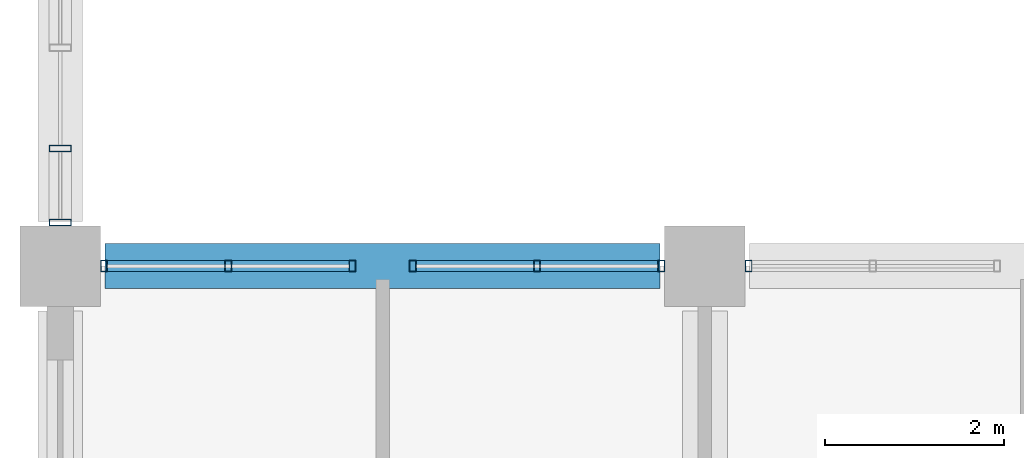
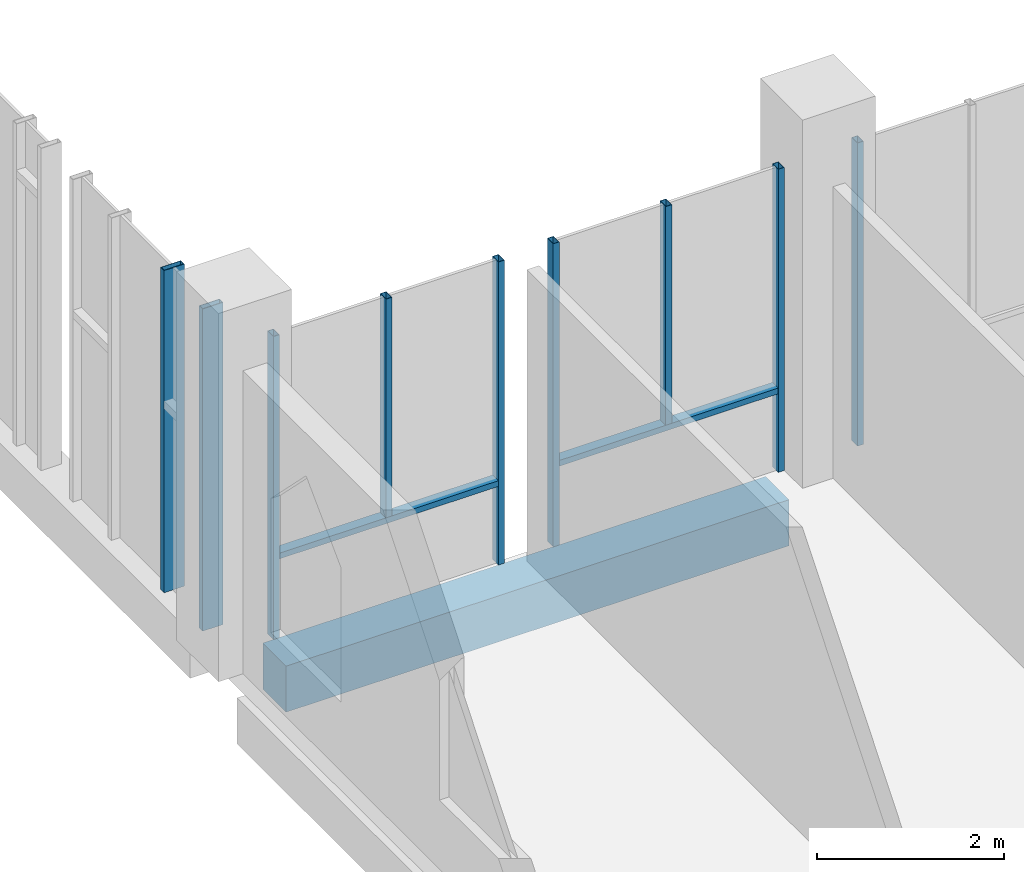
# One storey, part 2 of 40: 11 members, 1 beam, 4 elements without a shape of their own.
"""IFC4 building model written with IfcOpenShell, lengths in metres."""

from ifc_helpers import new_model, si_unit, direction, frame, origin, origin_2d, place, context, subcontext, project, spatial, rectangle, hollow_rectangle, extrude, material, material_profile, profile_set, type_object, element, aggregate, save


model = new_model("IFC4")

# Units and contexts
model_context = context("Model", 3, precision=1e-05, world=origin(), true_north=direction((0.0, 1.0)))
body_context = subcontext(model_context, "Body", "Model", "MODEL_VIEW")
ifc_project = project(units=[si_unit("LENGTHUNIT", "METRE"), si_unit("AREAUNIT", "SQUARE_METRE"), si_unit("VOLUMEUNIT", "CUBIC_METRE"), si_unit("PLANEANGLEUNIT", "RADIAN"), si_unit("MASSUNIT", "GRAM", prefix="KILO")], contexts=[model_context])

# Site, building, storey
site_placement = place(None, origin())
site = spatial("IfcSite", under=ifc_project, at=site_placement, CompositionType="ELEMENT")
building_placement = place(site_placement, origin())
building = spatial("IfcBuilding", under=site, at=building_placement, Name="Silangan Lancet Faculty of Sciences", CompositionType="ELEMENT")
storey_placement = place(building_placement, frame((0.0, 0.0, 16.800048828125)))
storey = spatial("IfcBuildingStorey", under=building, at=storey_placement, Name="L03", CompositionType="ELEMENT", Elevation=16.800048828125)

# Beam
ifc_material_1 = material(Name="Concrete C40/50", Category="concrete")
ifc_material_profile_1 = material_profile(ifc_material_1, rectangle(XDim=0.5, YDim=0.60009765625, at=origin_2d()), Name="RC 500x600")
ifc_profile_set_1 = profile_set([ifc_material_profile_1], Name="Concrete C40/50")
beam_type = type_object("IfcBeamType", Name="BEAM RC 500x600", PredefinedType="BEAM", material=ifc_profile_set_1)
beam_placement = place(storey_placement, frame((0.5, 21.60009765625, -0.550048828125), z_axis=(1.0, 0.0, 0.0), x_axis=(0.0, 1.0, 0.0)))
element("IfcBeam", 1, at=beam_placement, inside=storey, type_object=beam_type, Name="BM-L03-1D-2D", PredefinedType="BEAM", context=body_context, shape_type="SweptSolid", body=[
    extrude(rectangle(XDim=0.5, YDim=0.60009765625, at=origin_2d()), origin(), (0.0, 0.0, 1.0), 6.199951171875),
])

# Curtain wall, member
ifc_material_2 = material(Name="Aluminium framed curtain wall with insulated glass", Category="aluminium")
curtain_wall_type_1 = type_object("IfcCurtainWallType", Name="CW2 Atrium fire-resisting screen", PredefinedType="NOTDEFINED", material=ifc_material_2)
curtain_wall_1_placement = place(storey_placement, origin())
curtain_wall_1 = element("IfcCurtainWall", 2, at=curtain_wall_1_placement, inside=storey, type_object=curtain_wall_type_1, Name="CW2 Atrium south L03 bay 4", PredefinedType="NOTDEFINED")
ifc_material_3 = material(Name="Steel S355J2H", Category="steel")
ifc_material_profile_2 = material_profile(ifc_material_3, hollow_rectangle(XDim=0.074951171875, YDim=0.125, WallThickness=0.0048828125, at=origin_2d()), Name="ST BOX 75x125x5")
ifc_profile_set_2 = profile_set([ifc_material_profile_2], Name="Steel S355J2H")
member_type_1 = type_object("IfcMemberType", Name="CM2 Mullion 75x125", PredefinedType="MULLION", material=ifc_profile_set_2)
member_1_placement = place(storey_placement, frame((7.6875, 21.60009765625, 0.0), z_axis=(0.0, 0.0, 1.0), x_axis=(-1.0, 0.0, 0.0)))
member_1 = element("IfcMember", 3, at=member_1_placement, type_object=member_type_1, Name="CW2 Atrium south L03 bay 4 mullion 2", PredefinedType="MULLION", context=body_context, shape_type="SweptSolid", body=[
    extrude(hollow_rectangle(XDim=0.074951171875, YDim=0.125, WallThickness=0.0048828125, at=origin_2d()), origin(), (0.0, 0.0, 1.0), 3.949951171875),
])
aggregate(curtain_wall_1, [member_1])

# Curtain wall, members
curtain_wall_2_placement = place(storey_placement, origin())
curtain_wall_2 = element("IfcCurtainWall", 4, at=curtain_wall_2_placement, inside=storey, type_object=curtain_wall_type_1, Name="CW2 Atrium south L03 bay 5", PredefinedType="NOTDEFINED")
member_2_placement = place(storey_placement, frame((6.71240234375, 21.60009765625, 0.0), z_axis=(0.0, 0.0, 1.0), x_axis=(-1.0, 0.0, 0.0)))
member_2 = element("IfcMember", 5, at=member_2_placement, type_object=member_type_1, Name="CW2 Atrium south L03 bay 5 mullion 1", PredefinedType="MULLION", context=body_context, shape_type="SweptSolid", body=[
    extrude(hollow_rectangle(XDim=0.074951171875, YDim=0.125, WallThickness=0.0048828125, at=origin_2d()), origin(), (0.0, 0.0, 1.0), 3.949951171875),
])
member_3_placement = place(storey_placement, frame((3.9375, 21.60009765625, 0.0), z_axis=(0.0, 0.0, 1.0), x_axis=(-1.0, 0.0, 0.0)))
member_3 = element("IfcMember", 6, at=member_3_placement, type_object=member_type_1, Name="CW2 Atrium south L03 bay 5 mullion 2", PredefinedType="MULLION", context=body_context, shape_type="SweptSolid", body=[
    extrude(hollow_rectangle(XDim=0.074951171875, YDim=0.125, WallThickness=0.0048828125, at=origin_2d()), origin(), (0.0, 0.0, 1.0), 3.949951171875),
])
member_4_placement = place(storey_placement, frame((5.324951171875, 21.60009765625, 1.099853515625), z_axis=(0.0, 0.0, 1.0), x_axis=(-1.0, 0.0, 0.0)))
member_4 = element("IfcMember", 7, at=member_4_placement, type_object=member_type_1, Name="CW2 Atrium south L03 bay 5 mullion 3", PredefinedType="MULLION", context=body_context, shape_type="SweptSolid", body=[
    extrude(hollow_rectangle(XDim=0.074951171875, YDim=0.125, WallThickness=0.0048828125, at=origin_2d()), origin(), (0.0, 0.0, 1.0), 2.85009765625),
])

curtain_wall_3_placement = place(storey_placement, origin())
curtain_wall_3 = element("IfcCurtainWall", 8, at=curtain_wall_3_placement, inside=storey, type_object=curtain_wall_type_1, Name="CW2 Atrium south L03 bay 6", PredefinedType="NOTDEFINED")
member_5_placement = place(storey_placement, frame((3.2626953125, 21.60009765625, 0.0), z_axis=(0.0, 0.0, 1.0), x_axis=(-1.0, 0.0, 0.0)))
member_5 = element("IfcMember", 9, at=member_5_placement, type_object=member_type_1, Name="CW2 Atrium south L03 bay 6 mullion 1", PredefinedType="MULLION", context=body_context, shape_type="SweptSolid", body=[
    extrude(hollow_rectangle(XDim=0.074951171875, YDim=0.125, WallThickness=0.0048828125, at=origin_2d()), origin(), (0.0, 0.0, 1.0), 3.949951171875),
])
member_6_placement = place(storey_placement, frame((0.487548828125, 21.60009765625, 0.0), z_axis=(0.0, 0.0, 1.0), x_axis=(-1.0, 0.0, 0.0)))
member_6 = element("IfcMember", 10, at=member_6_placement, type_object=member_type_1, Name="CW2 Atrium south L03 bay 6 mullion 2", PredefinedType="MULLION", context=body_context, shape_type="SweptSolid", body=[
    extrude(hollow_rectangle(XDim=0.074951171875, YDim=0.125, WallThickness=0.0048828125, at=origin_2d()), origin(), (0.0, 0.0, 1.0), 3.949951171875),
])
member_7_placement = place(storey_placement, frame((1.875, 21.60009765625, 1.099853515625), z_axis=(0.0, 0.0, 1.0), x_axis=(-1.0, 0.0, 0.0)))
member_7 = element("IfcMember", 11, at=member_7_placement, type_object=member_type_1, Name="CW2 Atrium south L03 bay 6 mullion 3", PredefinedType="MULLION", context=body_context, shape_type="SweptSolid", body=[
    extrude(hollow_rectangle(XDim=0.074951171875, YDim=0.125, WallThickness=0.0048828125, at=origin_2d()), origin(), (0.0, 0.0, 1.0), 2.85009765625),
])

ifc_material_4 = material(Name="Aluminium framed curtain wall with insulated glass", Category="aluminium")
curtain_wall_type_2 = type_object("IfcCurtainWallType", Name="CW3 West stepped lancet window", PredefinedType="NOTDEFINED", material=ifc_material_4)
curtain_wall_4_placement = place(storey_placement, origin())
curtain_wall_4 = element("IfcCurtainWall", 12, at=curtain_wall_4_placement, inside=storey, type_object=curtain_wall_type_2, Name="CW3 West window L03 bay 1", PredefinedType="NOTDEFINED")
ifc_material_5 = material(Name="Aluminium 6063-T6 extrusion", Category="aluminium")
ifc_material_profile_3 = material_profile(ifc_material_5, hollow_rectangle(XDim=0.074951171875, YDim=0.25, WallThickness=0.006103515625, at=origin_2d()), Name="AL BOX 75x250x6")
ifc_profile_set_3 = profile_set([ifc_material_profile_3], Name="Aluminium 6063-T6 extrusion")
member_type_2 = type_object("IfcMemberType", Name="CM3 Mullion 75x250", PredefinedType="MULLION", material=ifc_profile_set_3)
member_8_placement = place(storey_placement, frame((0.0, 22.08740234375, 0.0), z_axis=(0.0, 0.0, 1.0), x_axis=(0.0, 1.0, 0.0)))
member_8 = element("IfcMember", 13, at=member_8_placement, type_object=member_type_2, Name="CW3 West window L03 bay 1 mullion 1", PredefinedType="MULLION", context=body_context, shape_type="SweptSolid", body=[
    extrude(hollow_rectangle(XDim=0.074951171875, YDim=0.25, WallThickness=0.006103515625, at=origin_2d()), origin(), (0.0, 0.0, 1.0), 4.199951171875),
])
member_9_placement = place(storey_placement, frame((0.0, 22.91259765625, 0.0), z_axis=(0.0, 0.0, 1.0), x_axis=(0.0, 1.0, 0.0)))
member_9 = element("IfcMember", 14, at=member_9_placement, type_object=member_type_2, Name="CW3 West window L03 bay 1 mullion 3", PredefinedType="MULLION", context=body_context, shape_type="SweptSolid", body=[
    extrude(hollow_rectangle(XDim=0.074951171875, YDim=0.25, WallThickness=0.006103515625, at=origin_2d()), origin(), (0.0, 0.0, 1.0), 4.199951171875),
])
aggregate(curtain_wall_4, [member_8, member_9])

# Member
ifc_material_6 = material(Name="Steel S355J2H", Category="steel")
ifc_material_profile_4 = material_profile(ifc_material_6, hollow_rectangle(XDim=0.125, YDim=0.074951171875, WallThickness=0.0048828125, at=origin_2d()), Name="ST BOX 125x75x5")
ifc_profile_set_4 = profile_set([ifc_material_profile_4], Name="Steel S355J2H")
member_type_3 = type_object("IfcMemberType", Name="CT2 Transom 125x75", PredefinedType="USERDEFINED", material=ifc_profile_set_4)
member_10_placement = place(storey_placement, frame((6.675048828125, 21.60009765625, 1.0625), z_axis=(-1.0, 0.0, 0.0), x_axis=(0.0, -1.0, 0.0)))
member_10 = element("IfcMember", 15, at=member_10_placement, type_object=member_type_3, Name="CW2 Atrium south L03 bay 5 transom 1", ObjectType="TRANSOM", PredefinedType="USERDEFINED", context=body_context, shape_type="SweptSolid", body=[
    extrude(hollow_rectangle(XDim=0.125, YDim=0.074951171875, WallThickness=0.0048828125, at=origin_2d()), origin(), (0.0, 0.0, 1.0), 2.699951171875),
])

aggregate(curtain_wall_2, [member_2, member_3, member_4, member_10])

member_11_placement = place(storey_placement, frame((3.22509765625, 21.60009765625, 1.0625), z_axis=(-1.0, 0.0, 0.0), x_axis=(0.0, -1.0, 0.0)))
member_11 = element("IfcMember", 16, at=member_11_placement, type_object=member_type_3, Name="CW2 Atrium south L03 bay 6 transom 1", ObjectType="TRANSOM", PredefinedType="USERDEFINED", context=body_context, shape_type="SweptSolid", body=[
    extrude(hollow_rectangle(XDim=0.125, YDim=0.074951171875, WallThickness=0.0048828125, at=origin_2d()), origin(), (0.0, 0.0, 1.0), 2.7001953125),
])

aggregate(curtain_wall_3, [member_5, member_6, member_7, member_11])

save(model, "model.ifc")
